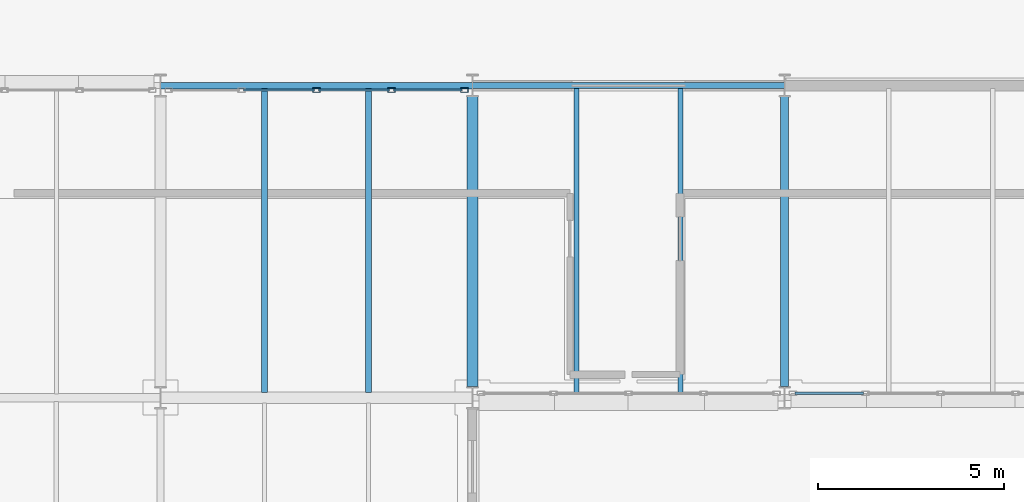
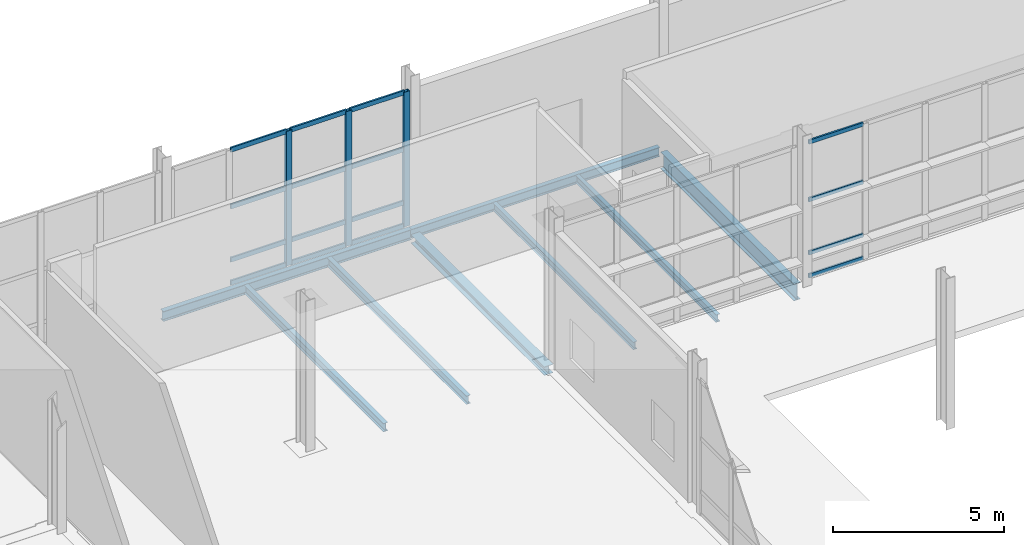
# One storey, part 45 of 124: 19 members, 8 beams, 2 elements without a shape of their own.
"""IFC4 building model written with IfcOpenShell, lengths in metres."""

from ifc_helpers import new_model, si_unit, direction, frame, origin, origin_2d, place, context, subcontext, project, spatial, hollow_rectangle, i_section, extrude, material, material_profile, profile_set, type_object, element, aggregate, save


model = new_model("IFC4")

# Units and contexts
model_context = context("Model", 3, precision=1e-05, world=origin(), true_north=direction((0.0, 1.0)))
body_context = subcontext(model_context, "Body", "Model", "MODEL_VIEW")
ifc_project = project(units=[si_unit("LENGTHUNIT", "METRE"), si_unit("AREAUNIT", "SQUARE_METRE"), si_unit("VOLUMEUNIT", "CUBIC_METRE"), si_unit("PLANEANGLEUNIT", "RADIAN"), si_unit("MASSUNIT", "GRAM", prefix="KILO")], contexts=[model_context])

# Site, building, storey
site_placement = place(None, origin())
site = spatial("IfcSite", under=ifc_project, at=site_placement, CompositionType="ELEMENT")
building_placement = place(site_placement, origin())
building = spatial("IfcBuilding", under=site, at=building_placement, Name="Mersafa Astral City Hall", CompositionType="ELEMENT")
storey_placement = place(building_placement, origin())
storey = spatial("IfcBuildingStorey", under=building, at=storey_placement, Name="L00", CompositionType="ELEMENT", Elevation=0.0)

# Curtain wall, members
ifc_material_1 = material(Name="Anodised bronze aluminium framing", Category="aluminium")
curtain_wall_type_1 = type_object("IfcCurtainWallType", Name="ENV-CW-3", PredefinedType="USERDEFINED", material=ifc_material_1)
curtain_wall_1_placement = place(storey_placement, origin())
curtain_wall_1 = element("IfcCurtainWall", 1, at=curtain_wall_1_placement, inside=storey, type_object=curtain_wall_type_1, Name="L00 Unitised solar curtain wall 32", ObjectType="UNITISED CURTAIN WALL", PredefinedType="USERDEFINED")
ifc_material_profile_1 = material_profile(ifc_material_1, hollow_rectangle(XDim=0.1201171875, YDim=0.199951171875, WallThickness=0.008056640625, at=origin_2d()), Name="RHS 120x200x8")
ifc_profile_set_1 = profile_set([ifc_material_profile_1], Name="Anodised bronze aluminium framing")
member_type_1 = type_object("IfcMemberType", Name="ENV-CW-MUL-2", PredefinedType="MULLION", material=ifc_profile_set_1)
member_1_placement = place(storey_placement, frame((117.3779296875, 125.8798828125, -0.001953125), z_axis=(0.0, 0.0, 1.0), x_axis=(0.0, -1.0, 0.0)))
member_1 = element("IfcMember", 2, at=member_1_placement, type_object=member_type_1, Name="CW-3 mullion 1", PredefinedType="MULLION", context=body_context, shape_type="SweptSolid", body=[
    extrude(hollow_rectangle(XDim=0.1201171875, YDim=0.199951171875, WallThickness=0.008056640625, at=origin_2d()), origin(), (0.0, 0.0, 1.0), 4.81396484375),
])
member_2_placement = place(storey_placement, frame((115.4189453125, 125.8798828125, -0.001953125), z_axis=(0.0, 0.0, 1.0), x_axis=(0.0, -1.0, 0.0)))
member_2 = element("IfcMember", 3, at=member_2_placement, type_object=member_type_1, Name="CW-3 mullion 2", PredefinedType="MULLION", context=body_context, shape_type="SweptSolid", body=[
    extrude(hollow_rectangle(XDim=0.1201171875, YDim=0.199951171875, WallThickness=0.008056640625, at=origin_2d()), origin(), (0.0, 0.0, 1.0), 4.81396484375),
])
member_3_placement = place(storey_placement, frame((113.39990234375, 125.8798828125, -0.001953125), z_axis=(0.0, 0.0, 1.0), x_axis=(0.0, -1.0, 0.0)))
member_3 = element("IfcMember", 4, at=member_3_placement, type_object=member_type_1, Name="CW-3 mullion 3", PredefinedType="MULLION", context=body_context, shape_type="SweptSolid", body=[
    extrude(hollow_rectangle(XDim=0.1201171875, YDim=0.199951171875, WallThickness=0.008056640625, at=origin_2d()), origin(), (0.0, 0.0, 1.0), 4.81396484375),
])

curtain_wall_type_2 = type_object("IfcCurtainWallType", Name="ENV-CW-4", PredefinedType="USERDEFINED", material=ifc_material_1)
curtain_wall_2_placement = place(storey_placement, origin())
curtain_wall_2 = element("IfcCurtainWall", 5, at=curtain_wall_2_placement, inside=storey, type_object=curtain_wall_type_2, Name="L00 Unitised solar curtain wall 15", ObjectType="UNITISED CURTAIN WALL", PredefinedType="USERDEFINED")
ifc_material_profile_2 = material_profile(ifc_material_1, hollow_rectangle(XDim=0.06005859375, YDim=0.139892578125, WallThickness=0.00390625, at=origin_2d()), Name="RHS 60x140x4")
ifc_profile_set_2 = profile_set([ifc_material_profile_2], Name="Anodised bronze aluminium framing")
member_type_2 = type_object("IfcMemberType", Name="ENV-CW-TRN-1", PredefinedType="USERDEFINED", material=ifc_profile_set_2)
member_4_placement = place(storey_placement, frame((126.281982421875, 117.719970703125, 0.028076171875), z_axis=(1.0, 0.0, 0.0), x_axis=(0.0, 1.0, 0.0)))
member_4 = element("IfcMember", 6, at=member_4_placement, type_object=member_type_2, Name="CW-4 transom 1.1", ObjectType="TRANSOM", PredefinedType="USERDEFINED", context=body_context, shape_type="SweptSolid", body=[
    extrude(hollow_rectangle(XDim=0.06005859375, YDim=0.139892578125, WallThickness=0.00390625, at=origin_2d()), origin(), (0.0, 0.0, 1.0), 1.839111328125),
])
member_5_placement = place(storey_placement, frame((126.281982421875, 117.719970703125, 0.85009765625), z_axis=(1.0, 0.0, 0.0), x_axis=(0.0, 1.0, 0.0)))
member_5 = element("IfcMember", 7, at=member_5_placement, type_object=member_type_2, Name="CW-4 transom 1.2", ObjectType="TRANSOM", PredefinedType="USERDEFINED", context=body_context, shape_type="SweptSolid", body=[
    extrude(hollow_rectangle(XDim=0.06005859375, YDim=0.139892578125, WallThickness=0.00390625, at=origin_2d()), origin(), (0.0, 0.0, 1.0), 1.839111328125),
])
member_6_placement = place(storey_placement, frame((126.281982421875, 117.719970703125, 2.75), z_axis=(1.0, 0.0, 0.0), x_axis=(0.0, 1.0, 0.0)))
member_6 = element("IfcMember", 8, at=member_6_placement, type_object=member_type_2, Name="CW-4 transom 1.3", ObjectType="TRANSOM", PredefinedType="USERDEFINED", context=body_context, shape_type="SweptSolid", body=[
    extrude(hollow_rectangle(XDim=0.06005859375, YDim=0.139892578125, WallThickness=0.00390625, at=origin_2d()), origin(), (0.0, 0.0, 1.0), 1.839111328125),
])
member_7_placement = place(storey_placement, frame((126.281982421875, 117.719970703125, 4.81201171875), z_axis=(1.0, 0.0, 0.0), x_axis=(0.0, 1.0, 0.0)))
member_7 = element("IfcMember", 9, at=member_7_placement, type_object=member_type_2, Name="CW-4 transom 1.4", ObjectType="TRANSOM", PredefinedType="USERDEFINED", context=body_context, shape_type="SweptSolid", body=[
    extrude(hollow_rectangle(XDim=0.06005859375, YDim=0.139892578125, WallThickness=0.00390625, at=origin_2d()), origin(), (0.0, 0.0, 1.0), 1.839111328125),
])
aggregate(curtain_wall_2, [member_4, member_5, member_6, member_7])

# Member
ifc_material_profile_3 = material_profile(ifc_material_1, hollow_rectangle(XDim=0.06005859375, YDim=0.159912109375, WallThickness=0.00390625, at=origin_2d()), Name="RHS 60x160x4")
ifc_profile_set_3 = profile_set([ifc_material_profile_3], Name="Anodised bronze aluminium framing")
member_type_3 = type_object("IfcMemberType", Name="ENV-CW-TRN-2", PredefinedType="USERDEFINED", material=ifc_profile_set_3)
member_8_placement = place(storey_placement, frame((117.318115234375, 125.8798828125, 0.028076171875), z_axis=(-1.0, 0.0, 0.0), x_axis=(0.0, -1.0, 0.0)))
member_8 = element("IfcMember", 10, at=member_8_placement, type_object=member_type_3, Name="CW-3 transom 1.1", ObjectType="TRANSOM", PredefinedType="USERDEFINED", context=body_context, shape_type="SweptSolid", body=[
    extrude(hollow_rectangle(XDim=0.06005859375, YDim=0.159912109375, WallThickness=0.00390625, at=origin_2d()), origin(), (0.0, 0.0, 1.0), 1.839111328125),
])

member_9_placement = place(storey_placement, frame((117.318115234375, 125.8798828125, 0.85009765625), z_axis=(-1.0, 0.0, 0.0), x_axis=(0.0, -1.0, 0.0)))
member_9 = element("IfcMember", 11, at=member_9_placement, type_object=member_type_3, Name="CW-3 transom 1.2", ObjectType="TRANSOM", PredefinedType="USERDEFINED", context=body_context, shape_type="SweptSolid", body=[
    extrude(hollow_rectangle(XDim=0.06005859375, YDim=0.159912109375, WallThickness=0.00390625, at=origin_2d()), origin(), (0.0, 0.0, 1.0), 1.839111328125),
])

member_10_placement = place(storey_placement, frame((117.318115234375, 125.8798828125, 2.75), z_axis=(-1.0, 0.0, 0.0), x_axis=(0.0, -1.0, 0.0)))
member_10 = element("IfcMember", 12, at=member_10_placement, type_object=member_type_3, Name="CW-3 transom 1.3", ObjectType="TRANSOM", PredefinedType="USERDEFINED", context=body_context, shape_type="SweptSolid", body=[
    extrude(hollow_rectangle(XDim=0.06005859375, YDim=0.159912109375, WallThickness=0.00390625, at=origin_2d()), origin(), (0.0, 0.0, 1.0), 1.839111328125),
])

member_11_placement = place(storey_placement, frame((117.318115234375, 125.8798828125, 4.781982421875), z_axis=(-1.0, 0.0, 0.0), x_axis=(0.0, -1.0, 0.0)))
member_11 = element("IfcMember", 13, at=member_11_placement, type_object=member_type_3, Name="CW-3 transom 1.4", ObjectType="TRANSOM", PredefinedType="USERDEFINED", context=body_context, shape_type="SweptSolid", body=[
    extrude(hollow_rectangle(XDim=0.06005859375, YDim=0.159912109375, WallThickness=0.00390625, at=origin_2d()), origin(), (0.0, 0.0, 1.0), 1.839111328125),
])

member_12_placement = place(storey_placement, frame((115.35888671875, 125.8798828125, 0.028076171875), z_axis=(-1.0, 0.0, 0.0), x_axis=(0.0, -1.0, 0.0)))
member_12 = element("IfcMember", 14, at=member_12_placement, type_object=member_type_3, Name="CW-3 transom 2.1", ObjectType="TRANSOM", PredefinedType="USERDEFINED", context=body_context, shape_type="SweptSolid", body=[
    extrude(hollow_rectangle(XDim=0.06005859375, YDim=0.159912109375, WallThickness=0.00390625, at=origin_2d()), origin(), (0.0, 0.0, 1.0), 1.89892578125),
])

member_13_placement = place(storey_placement, frame((115.35888671875, 125.8798828125, 0.85009765625), z_axis=(-1.0, 0.0, 0.0), x_axis=(0.0, -1.0, 0.0)))
member_13 = element("IfcMember", 15, at=member_13_placement, type_object=member_type_3, Name="CW-3 transom 2.2", ObjectType="TRANSOM", PredefinedType="USERDEFINED", context=body_context, shape_type="SweptSolid", body=[
    extrude(hollow_rectangle(XDim=0.06005859375, YDim=0.159912109375, WallThickness=0.00390625, at=origin_2d()), origin(), (0.0, 0.0, 1.0), 1.89892578125),
])

member_14_placement = place(storey_placement, frame((115.35888671875, 125.8798828125, 2.75), z_axis=(-1.0, 0.0, 0.0), x_axis=(0.0, -1.0, 0.0)))
member_14 = element("IfcMember", 16, at=member_14_placement, type_object=member_type_3, Name="CW-3 transom 2.3", ObjectType="TRANSOM", PredefinedType="USERDEFINED", context=body_context, shape_type="SweptSolid", body=[
    extrude(hollow_rectangle(XDim=0.06005859375, YDim=0.159912109375, WallThickness=0.00390625, at=origin_2d()), origin(), (0.0, 0.0, 1.0), 1.89892578125),
])

member_15_placement = place(storey_placement, frame((115.35888671875, 125.8798828125, 4.781982421875), z_axis=(-1.0, 0.0, 0.0), x_axis=(0.0, -1.0, 0.0)))
member_15 = element("IfcMember", 17, at=member_15_placement, type_object=member_type_3, Name="CW-3 transom 2.4", ObjectType="TRANSOM", PredefinedType="USERDEFINED", context=body_context, shape_type="SweptSolid", body=[
    extrude(hollow_rectangle(XDim=0.06005859375, YDim=0.159912109375, WallThickness=0.00390625, at=origin_2d()), origin(), (0.0, 0.0, 1.0), 1.89892578125),
])

member_16_placement = place(storey_placement, frame((113.340087890625, 125.8798828125, 0.028076171875), z_axis=(-1.0, 0.0, 0.0), x_axis=(0.0, -1.0, 0.0)))
member_16 = element("IfcMember", 18, at=member_16_placement, type_object=member_type_3, Name="CW-3 transom 3.1", ObjectType="TRANSOM", PredefinedType="USERDEFINED", context=body_context, shape_type="SweptSolid", body=[
    extrude(hollow_rectangle(XDim=0.06005859375, YDim=0.159912109375, WallThickness=0.00390625, at=origin_2d()), origin(), (0.0, 0.0, 1.0), 1.899169921875),
])

member_17_placement = place(storey_placement, frame((113.340087890625, 125.8798828125, 0.85009765625), z_axis=(-1.0, 0.0, 0.0), x_axis=(0.0, -1.0, 0.0)))
member_17 = element("IfcMember", 19, at=member_17_placement, type_object=member_type_3, Name="CW-3 transom 3.2", ObjectType="TRANSOM", PredefinedType="USERDEFINED", context=body_context, shape_type="SweptSolid", body=[
    extrude(hollow_rectangle(XDim=0.06005859375, YDim=0.159912109375, WallThickness=0.00390625, at=origin_2d()), origin(), (0.0, 0.0, 1.0), 1.899169921875),
])

member_18_placement = place(storey_placement, frame((113.340087890625, 125.8798828125, 2.75), z_axis=(-1.0, 0.0, 0.0), x_axis=(0.0, -1.0, 0.0)))
member_18 = element("IfcMember", 20, at=member_18_placement, type_object=member_type_3, Name="CW-3 transom 3.3", ObjectType="TRANSOM", PredefinedType="USERDEFINED", context=body_context, shape_type="SweptSolid", body=[
    extrude(hollow_rectangle(XDim=0.06005859375, YDim=0.159912109375, WallThickness=0.00390625, at=origin_2d()), origin(), (0.0, 0.0, 1.0), 1.899169921875),
])

member_19_placement = place(storey_placement, frame((113.340087890625, 125.8798828125, 4.781982421875), z_axis=(-1.0, 0.0, 0.0), x_axis=(0.0, -1.0, 0.0)))
member_19 = element("IfcMember", 21, at=member_19_placement, type_object=member_type_3, Name="CW-3 transom 3.4", ObjectType="TRANSOM", PredefinedType="USERDEFINED", context=body_context, shape_type="SweptSolid", body=[
    extrude(hollow_rectangle(XDim=0.06005859375, YDim=0.159912109375, WallThickness=0.00390625, at=origin_2d()), origin(), (0.0, 0.0, 1.0), 1.899169921875),
])

aggregate(curtain_wall_1, [member_1, member_2, member_3, member_8, member_9, member_10, member_11, member_12, member_13, member_14, member_15, member_16, member_17, member_18, member_19])

# Beams
ifc_material_2 = material(Name="Steel S355", Category="steel")
ifc_material_profile_4 = material_profile(ifc_material_2, i_section(OverallWidth=0.300048828125, OverallDepth=0.31005859375, WebThickness=0.009033203125, FlangeThickness=0.015380859375, FilletRadius=0.027099609375, at=origin_2d()), Name="HEA 320")
ifc_profile_set_4 = profile_set([ifc_material_profile_4], Name="Steel S355")
beam_type_1 = type_object("IfcBeamType", Name="STR-BM-HEA320", PredefinedType="BEAM", material=ifc_profile_set_4)
beam_1_placement = place(storey_placement, frame((117.60009765625, 117.89501953125, -0.405029296875), z_axis=(0.0, 1.0, 0.0), x_axis=(-1.0, 0.0, 0.0)))
element("IfcBeam", 22, at=beam_1_placement, inside=storey, type_object=beam_type_1, Name="L00 Primary girder Y 14-14", PredefinedType="BEAM", context=body_context, shape_type="SweptSolid", body=[
    extrude(i_section(OverallWidth=0.300048828125, OverallDepth=0.31005859375, WebThickness=0.009033203125, FlangeThickness=0.015380859375, FilletRadius=0.027099609375, at=origin_2d()), origin(), (0.0, 0.0, 1.0), 7.81005859375),
])
ifc_material_profile_5 = material_profile(ifc_material_2, i_section(OverallWidth=0.219970703125, OverallDepth=0.60009765625, WebThickness=0.011962890625, FlangeThickness=0.01904296875, FilletRadius=0.02392578125, at=origin_2d()), Name="IPE 600")
ifc_profile_set_5 = profile_set([ifc_material_profile_5], Name="Steel S355")
beam_type_2 = type_object("IfcBeamType", Name="STR-BM-IPE600", PredefinedType="BEAM", material=ifc_profile_set_5)
beam_2_placement = place(storey_placement, frame((126.0, 117.89501953125, -0.550048828125), z_axis=(0.0, 1.0, 0.0), x_axis=(-1.0, 0.0, 0.0)))
element("IfcBeam", 23, at=beam_2_placement, inside=storey, type_object=beam_type_2, Name="L00 Primary girder Y 15-14", PredefinedType="BEAM", context=body_context, shape_type="SweptSolid", body=[
    extrude(i_section(OverallWidth=0.219970703125, OverallDepth=0.60009765625, WebThickness=0.011962890625, FlangeThickness=0.01904296875, FilletRadius=0.02392578125, at=origin_2d()), origin(), (0.0, 0.0, 1.0), 7.81005859375),
])
ifc_material_profile_6 = material_profile(ifc_material_2, i_section(OverallWidth=0.135009765625, OverallDepth=0.27001953125, WebThickness=0.006591796875, FlangeThickness=0.01025390625, FilletRadius=0.014892578125, at=origin_2d()), Name="IPE 270")
ifc_profile_set_6 = profile_set([ifc_material_profile_6], Name="Steel S355")
beam_type_3 = type_object("IfcBeamType", Name="STR-BM-JOIST-IPE270", PredefinedType="JOIST", material=ifc_profile_set_6)
for number, where, z_axis, x_axis, name in (
    (24, (120.39990234375, 117.679931640625, -0.385009765625), (0.0, 1.0, 0.0), (-1.0, 0.0, 0.0), "L00 Composite secondary floor joist 142"),
    (25, (123.199951171875, 117.679931640625, -0.385009765625), (0.0, 1.0, 0.0), (-1.0, 0.0, 0.0), "L00 Composite secondary floor joist 143"),
):
    element("IfcBeam", number, at=place(storey_placement, frame(where, z_axis=z_axis, x_axis=x_axis)), inside=storey, type_object=beam_type_3, Name=name, PredefinedType="JOIST", context=body_context, shape_type="SweptSolid", body=[
        extrude(i_section(OverallWidth=0.135009765625, OverallDepth=0.27001953125, WebThickness=0.006591796875, FlangeThickness=0.01025390625, FilletRadius=0.014892578125, at=origin_2d()), origin(), (0.0, 0.0, 1.0), 8.2451171875),
    ])
ifc_material_profile_7 = material_profile(ifc_material_2, i_section(OverallWidth=0.14990234375, OverallDepth=0.300048828125, WebThickness=0.007080078125, FlangeThickness=0.0107421875, FilletRadius=0.014892578125, at=origin_2d()), Name="IPE 300")
ifc_profile_set_7 = profile_set([ifc_material_profile_7], Name="Steel S355")
beam_type_4 = type_object("IfcBeamType", Name="STR-BM-JOIST-IPE300", PredefinedType="JOIST", material=ifc_profile_set_7)
for number, where, z_axis, x_axis, name in (
    (26, (112.0, 117.7451171875, -0.39990234375), (0.0, 1.0, 0.0), (-1.0, 0.0, 0.0), "L00 Composite secondary floor joist 136"),
    (27, (114.800048828125, 117.7451171875, -0.39990234375), (0.0, 1.0, 0.0), (-1.0, 0.0, 0.0), "L00 Composite secondary floor joist 137"),
):
    element("IfcBeam", number, at=place(storey_placement, frame(where, z_axis=z_axis, x_axis=x_axis)), inside=storey, type_object=beam_type_4, Name=name, PredefinedType="JOIST", context=body_context, shape_type="SweptSolid", body=[
        extrude(i_section(OverallWidth=0.14990234375, OverallDepth=0.300048828125, WebThickness=0.007080078125, FlangeThickness=0.0107421875, FilletRadius=0.014892578125, at=origin_2d()), origin(), (0.0, 0.0, 1.0), 8.1748046875),
    ])
ifc_material_profile_8 = material_profile(ifc_material_2, i_section(OverallWidth=0.159912109375, OverallDepth=0.330078125, WebThickness=0.007568359375, FlangeThickness=0.011474609375, FilletRadius=0.01806640625, at=origin_2d()), Name="IPE 330")
ifc_profile_set_8 = profile_set([ifc_material_profile_8], Name="Steel S355")
beam_type_5 = type_object("IfcBeamType", Name="STR-BM-SPANDREL-IPE330", PredefinedType="SPANDREL", material=ifc_profile_set_8)
beam_3_placement = place(storey_placement, frame((117.60302734375, 126.0, -0.4150390625), z_axis=(1.0, 0.0, 0.0), x_axis=(0.0, 1.0, 0.0)))
element("IfcBeam", 28, at=beam_3_placement, inside=storey, type_object=beam_type_5, Name="L00 Primary girder X 14-15", PredefinedType="SPANDREL", context=body_context, shape_type="SweptSolid", body=[
    extrude(i_section(OverallWidth=0.159912109375, OverallDepth=0.330078125, WebThickness=0.007568359375, FlangeThickness=0.011474609375, FilletRadius=0.01806640625, at=origin_2d()), origin(), (0.0, 0.0, 1.0), 8.39404296875),
])
ifc_material_profile_9 = material_profile(ifc_material_2, i_section(OverallWidth=0.169921875, OverallDepth=0.360107421875, WebThickness=0.008056640625, FlangeThickness=0.0126953125, FilletRadius=0.01806640625, at=origin_2d()), Name="IPE 360")
ifc_profile_set_9 = profile_set([ifc_material_profile_9], Name="Steel S355")
beam_type_6 = type_object("IfcBeamType", Name="STR-BM-SPANDREL-IPE360", PredefinedType="SPANDREL", material=ifc_profile_set_9)
beam_4_placement = place(storey_placement, frame((109.202880859375, 126.0, -0.429931640625), z_axis=(1.0, 0.0, 0.0), x_axis=(0.0, 1.0, 0.0)))
element("IfcBeam", 29, at=beam_4_placement, inside=storey, type_object=beam_type_6, Name="L00 Primary girder X 13-15", PredefinedType="SPANDREL", context=body_context, shape_type="SweptSolid", body=[
    extrude(i_section(OverallWidth=0.169921875, OverallDepth=0.360107421875, WebThickness=0.008056640625, FlangeThickness=0.0126953125, FilletRadius=0.01806640625, at=origin_2d()), origin(), (0.0, 0.0, 1.0), 8.39404296875),
])

save(model, "model.ifc")
